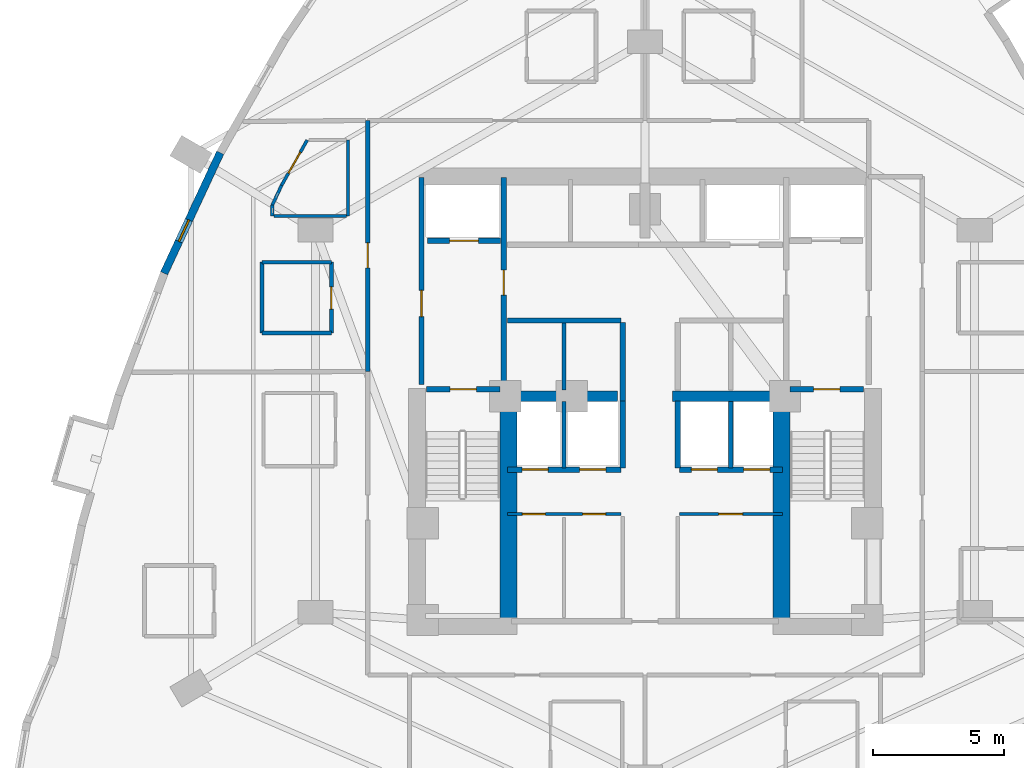
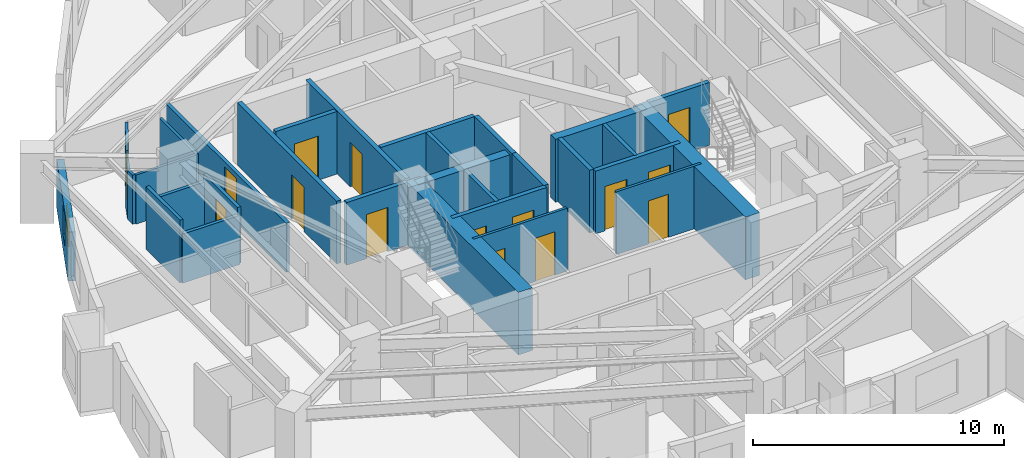
# One storey, part 8 of 13: 31 walls, 15 doors, 1 window, 16 openings.
"""IFC4 building model written with IfcOpenShell, lengths in metres."""

from ifc_helpers import new_model, si_unit, direction, frame, frame_2d, origin, place, context, subcontext, project, spatial, rectangle, extrude, material, layer, layer_set, type_object, element, fill, save


model = new_model("IFC4")

# Units and contexts
model_context = context("Model", 3, precision=1e-05, world=origin(), true_north=direction((0.0, 1.0)))
body_context = subcontext(model_context, "Body", "Model", "MODEL_VIEW")
ifc_project = project(units=[si_unit("LENGTHUNIT", "METRE"), si_unit("AREAUNIT", "SQUARE_METRE"), si_unit("VOLUMEUNIT", "CUBIC_METRE"), si_unit("PLANEANGLEUNIT", "RADIAN"), si_unit("MASSUNIT", "GRAM", prefix="KILO")], contexts=[model_context])

# Site, building, storey
site_placement = place(None, origin())
site = spatial("IfcSite", under=ifc_project, at=site_placement, CompositionType="ELEMENT")
building_placement = place(site_placement, origin())
building = spatial("IfcBuilding", under=site, at=building_placement, Name="Miruveldt Soraemaru", CompositionType="ELEMENT")
storey_placement = place(building_placement, frame((0.0, 0.0, 87.0)))
storey = spatial("IfcBuildingStorey", under=building, at=storey_placement, Name="L24", CompositionType="ELEMENT", Elevation=87.0)

# Walls
ifc_material_1 = material(Name="Concrete C70/85 (70 MPa)", Category="concrete")
ifc_layer_1 = layer(ifc_material_1, 0.5, Name="Concrete C70/85 (70 MPa)", Category="concrete")
ifc_layer_set_1 = layer_set([ifc_layer_1], Name="Concrete C70/85 (70 MPa)")
wall_type_1 = type_object("IfcWallType", Name="WALL-BW-500", PredefinedType="SHEAR", material=ifc_layer_set_1)
for number, where, z_axis, x_axis, name in (
    (1, (38.75, 44.050048828125, 0.0), (0.0, 0.0, 1.0), (1.0, 0.0, 0.0), "L24 Core Buttress Shear Wall BW"),
    (2, (45.050048828125, 44.050048828125, 0.0), (0.0, 0.0, 1.0), (1.0, 0.0, 0.0), "L24 Core Buttress Shear Wall BE"),
):
    element("IfcWall", number, at=place(storey_placement, frame(where, z_axis=z_axis, x_axis=x_axis)), inside=storey, type_object=wall_type_1, Name=name, PredefinedType="SHEAR", context=body_context, shape_type="SweptSolid", body=[
        extrude(rectangle(XDim=4.199951171875, YDim=0.39990234375, at=frame_2d((2.10009765625, 0.0))), origin(), (0.0, 0.0, 1.0), 3.050048828125),
    ])
ifc_material_2 = material(Name="Concrete C80/95 (80 MPa)", Category="concrete")
ifc_layer_2 = layer(ifc_material_2, 0.64990234375, Name="Concrete C80/95 (80 MPa)", Category="concrete")
ifc_layer_set_2 = layer_set([ifc_layer_2], Name="Concrete C80/95 (80 MPa)")
wall_type_2 = type_object("IfcWallType", Name="WALL-CW-650", PredefinedType="SHEAR", material=ifc_layer_set_2)
for number, where, z_axis, x_axis, name in (
    (3, (38.77490234375, 35.39990234375, 0.0), (0.0, 0.0, 1.0), (0.0, 1.0, 0.0), "L24 Central Core Shear Wall SW-INT"),
    (4, (49.22509765625, 35.39990234375, 0.0), (0.0, 0.0, 1.0), (0.0, 1.0, 0.0), "L24 Central Core Shear Wall SE-INT"),
):
    element("IfcWall", number, at=place(storey_placement, frame(where, z_axis=z_axis, x_axis=x_axis)), inside=storey, type_object=wall_type_2, Name=name, PredefinedType="SHEAR", context=body_context, shape_type="SweptSolid", body=[
        extrude(rectangle(XDim=8.9501953125, YDim=0.64990234375, at=frame_2d((4.47509765625, 0.0))), origin(), (0.0, 0.0, 1.0), 3.050048828125),
    ])

# Wall, opening, window
ifc_material_3 = material(Name="Precast concrete C45/55 (45 MPa)", Category="concrete")
ifc_layer_3 = layer(ifc_material_3, 0.300048828125, Name="Precast concrete C45/55 (45 MPa)", Category="concrete")
ifc_layer_set_3 = layer_set([ifc_layer_3], Name="Precast concrete C45/55 (45 MPa)")
wall_type_3 = type_object("IfcWallType", Name="WALL-EXT-PC300", PredefinedType="SOLIDWALL", material=ifc_layer_set_3)
wall_1_placement = place(storey_placement, frame((27.762451171875, 53.3671875, 0.0), z_axis=(0.0, 0.0, 1.0), x_axis=(-0.422304449799, -0.906454053816, 0.0)))
wall_1 = element("IfcWall", 5, at=wall_1_placement, inside=storey, type_object=wall_type_3, Name="L24 Precast Concrete Facade Wall 11", PredefinedType="SOLIDWALL", context=body_context, shape_type="SweptSolid", body=[
    extrude(rectangle(XDim=5.08447265625, YDim=0.300048828125, at=frame_2d((2.542236328125, 0.0))), origin(), (0.0, 0.0, 1.0), 2.387939453125),
])
opening_1_placement = place(wall_1_placement, frame((2.843017578125, 0.0, 0.72802734375)))
opening_1 = element("IfcOpeningElement", 6, at=opening_1_placement, cuts=wall_1, Name="Opening WN-7", PredefinedType="OPENING", context=body_context, shape_type="SweptSolid", body=[
    extrude(rectangle(XDim=0.89990234375, YDim=1.5, at=frame_2d((0.449951171875, 0.75))), frame((0.0, 0.16015625, 0.0), z_axis=(0.0, -1.0, 0.0), x_axis=(1.0, 0.0, 0.0)), (0.0, 0.0, 1.0), 0.320068359375),
])
ifc_material_4 = material(Name="Triple low-e insulated glazing", Category="glass")
window_type = type_object("IfcWindowType", Name="WIN-PUNCH-900x1500", PartitioningType="SINGLE_PANEL", PredefinedType="WINDOW", material=ifc_material_4)
window_placement = place(opening_1_placement, origin())
window = element("IfcWindow", 7, at=window_placement, inside=storey, type_object=window_type, Name="L24 Punched Triple-Glazed Window 11.1", OverallHeight=1.5, OverallWidth=0.89990234375, PartitioningType="SINGLE_PANEL", PredefinedType="WINDOW", context=body_context, shape_type="SweptSolid", body=[
    extrude(rectangle(XDim=0.89990234375, YDim=1.5, at=frame_2d((0.449951171875, 0.75))), frame((0.0, 0.030029296875, 0.0), z_axis=(0.0, -1.0, 0.0), x_axis=(1.0, 0.0, 0.0)), (0.0, 0.0, 1.0), 0.06005859375),
])
fill(opening_1, window)

# Wall, openings, doors
ifc_material_5 = material(Name="Gypsum plasterboard lining", Category="gypsum")
ifc_layer_4 = layer(ifc_material_5, 0.1201171875, Name="Gypsum plasterboard lining", Category="gypsum")
ifc_layer_set_4 = layer_set([ifc_layer_4], Name="Gypsum plasterboard lining")
wall_type_4 = type_object("IfcWallType", Name="WALL-INT-P120", PredefinedType="PARTITIONING", material=ifc_layer_set_4)
wall_2_placement = place(storey_placement, frame((38.75, 39.550048828125, 0.0), z_axis=(0.0, 0.0, 1.0), x_axis=(1.0, 0.0, 0.0)))
wall_2 = element("IfcWall", 8, at=wall_2_placement, inside=storey, type_object=wall_type_4, Name="L24 Core Compartment Wall CSW-N", PredefinedType="PARTITIONING", context=body_context, shape_type="SweptSolid", body=[
    extrude(rectangle(XDim=4.330078125, YDim=0.1201171875, at=frame_2d((2.1650390625, 0.0))), origin(), (0.0, 0.0, 1.0), 3.050048828125),
])
opening_2_placement = place(wall_2_placement, frame((0.56005859375, 0.0, 0.0)))
opening_2 = element("IfcOpeningElement", 9, at=opening_2_placement, cuts=wall_2, Name="Opening D4", PredefinedType="OPENING", context=body_context, shape_type="SweptSolid", body=[
    extrude(rectangle(XDim=0.8798828125, YDim=2.10009765625, at=frame_2d((0.43994140625, 1.050048828125))), frame((0.0, 0.070068359375, 0.0), z_axis=(0.0, -1.0, 0.0), x_axis=(1.0, 0.0, 0.0)), (0.0, 0.0, 1.0), 0.14013671875),
])
opening_3_placement = place(wall_2_placement, frame((2.860107421875, 0.0, 0.0)))
opening_3 = element("IfcOpeningElement", 10, at=opening_3_placement, cuts=wall_2, Name="Opening D4", PredefinedType="OPENING", context=body_context, shape_type="SweptSolid", body=[
    extrude(rectangle(XDim=0.8798828125, YDim=2.10009765625, at=frame_2d((0.43994140625, 1.050048828125))), frame((0.0, 0.070068359375, 0.0), z_axis=(0.0, -1.0, 0.0), x_axis=(1.0, 0.0, 0.0)), (0.0, 0.0, 1.0), 0.14013671875),
])
ifc_material_6 = material(Name="Anodised aluminium EN AW-6063 T6", Category="aluminium")
door_type_1 = type_object("IfcDoorType", Name="DOOR-INT-880", OperationType="NOTDEFINED", PredefinedType="DOOR", material=ifc_material_6)
door_1_placement = place(opening_2_placement, origin())
door_1 = element("IfcDoor", 11, at=door_1_placement, inside=storey, type_object=door_type_1, Name="L24 Fire Door", OperationType="SINGLE_SWING_LEFT", OverallHeight=2.10009765625, OverallWidth=0.8798828125, PredefinedType="DOOR", context=body_context, shape_type="SweptSolid", body=[
    extrude(rectangle(XDim=0.8798828125, YDim=2.10009765625, at=frame_2d((0.43994140625, 1.050048828125))), frame((0.0, 0.02490234375, 0.0), z_axis=(0.0, -1.0, 0.0), x_axis=(1.0, 0.0, 0.0)), (0.0, 0.0, 1.0), 0.050048828125),
])
fill(opening_2, door_1)
door_2_placement = place(opening_3_placement, origin())
door_2 = element("IfcDoor", 12, at=door_2_placement, inside=storey, type_object=door_type_1, Name="L24 Fire Door", OperationType="SINGLE_SWING_LEFT", OverallHeight=2.10009765625, OverallWidth=0.8798828125, PredefinedType="DOOR", context=body_context, shape_type="SweptSolid", body=[
    extrude(rectangle(XDim=0.8798828125, YDim=2.10009765625, at=frame_2d((0.43994140625, 1.050048828125))), frame((0.0, 0.02490234375, 0.0), z_axis=(0.0, -1.0, 0.0), x_axis=(1.0, 0.0, 0.0)), (0.0, 0.0, 1.0), 0.050048828125),
])
fill(opening_3, door_2)

# Wall, opening, door
wall_3_placement = place(storey_placement, frame((45.320068359375, 39.550048828125, 0.0), z_axis=(0.0, 0.0, 1.0), x_axis=(1.0, 0.0, 0.0)))
wall_3 = element("IfcWall", 13, at=wall_3_placement, inside=storey, type_object=wall_type_4, Name="L24 Core Compartment Wall CSE-N", PredefinedType="PARTITIONING", context=body_context, shape_type="SweptSolid", body=[
    extrude(rectangle(XDim=3.929931640625, YDim=0.1201171875, at=frame_2d((1.96484375, 0.0))), origin(), (0.0, 0.0, 1.0), 3.050048828125),
])
opening_4_placement = place(wall_3_placement, frame((1.489990234375, 0.0, 0.0)))
opening_4 = element("IfcOpeningElement", 14, at=opening_4_placement, cuts=wall_3, Name="Opening D3A", PredefinedType="OPENING", context=body_context, shape_type="SweptSolid", body=[
    extrude(rectangle(XDim=0.919921875, YDim=2.10009765625, at=frame_2d((0.4599609375, 1.050048828125))), frame((0.0, 0.070068359375, 0.0), z_axis=(0.0, -1.0, 0.0), x_axis=(1.0, 0.0, 0.0)), (0.0, 0.0, 1.0), 0.14013671875),
])
door_type_2 = type_object("IfcDoorType", Name="DOOR-INT-920", OperationType="NOTDEFINED", PredefinedType="DOOR", material=ifc_material_6)
door_3_placement = place(opening_4_placement, origin())
door_3 = element("IfcDoor", 15, at=door_3_placement, inside=storey, type_object=door_type_2, Name="L24 Fire Door", OperationType="SINGLE_SWING_LEFT", OverallHeight=2.10009765625, OverallWidth=0.919921875, PredefinedType="DOOR", context=body_context, shape_type="SweptSolid", body=[
    extrude(rectangle(XDim=0.919921875, YDim=2.10009765625, at=frame_2d((0.4599609375, 1.050048828125))), frame((0.0, 0.02490234375, 0.0), z_axis=(0.0, -1.0, 0.0), x_axis=(1.0, 0.0, 0.0)), (0.0, 0.0, 1.0), 0.050048828125),
])
fill(opening_4, door_3)

wall_4_placement = place(storey_placement, frame((30.10498046875, 52.1201171875, 0.0), z_axis=(0.0, 0.0, 1.0), x_axis=(0.493254151798, 0.869885246302, 0.0)))
wall_4 = element("IfcWall", 16, at=wall_4_placement, inside=storey, type_object=wall_type_4, Name="L24 Partition Wall 46", PredefinedType="PARTITIONING", context=body_context, shape_type="SweptSolid", body=[
    extrude(rectangle(XDim=1.98876953125, YDim=0.1201171875, at=frame_2d((0.994384765625, 0.0))), origin(), (0.0, 0.0, 1.0), 2.738037109375),
])
opening_5_placement = place(wall_4_placement, frame((0.533935546875, 0.0, 0.0)))
opening_5 = element("IfcOpeningElement", 17, at=opening_5_placement, cuts=wall_4, Name="Opening D3A", PredefinedType="OPENING", context=body_context, shape_type="SweptSolid", body=[
    extrude(rectangle(XDim=0.919921875, YDim=2.10009765625, at=frame_2d((0.4599609375, 1.050048828125))), frame((0.0, 0.070068359375, 0.0), z_axis=(0.0, -1.0, 0.0), x_axis=(1.0, 0.0, 0.0)), (0.0, 0.0, 1.0), 0.14013671875),
])
door_4_placement = place(opening_5_placement, origin())
door_4 = element("IfcDoor", 18, at=door_4_placement, inside=storey, type_object=door_type_2, Name="L24 Unit 2405 KIT Door", OperationType="SINGLE_SWING_RIGHT", OverallHeight=2.10009765625, OverallWidth=0.919921875, PredefinedType="DOOR", context=body_context, shape_type="SweptSolid", body=[
    extrude(rectangle(XDim=0.919921875, YDim=2.10009765625, at=frame_2d((0.4599609375, 1.050048828125))), frame((0.0, 0.02490234375, 0.0), z_axis=(0.0, -1.0, 0.0), x_axis=(1.0, 0.0, 0.0)), (0.0, 0.0, 1.0), 0.050048828125),
])
fill(opening_5, door_4)

# Walls
wall_5_placement = place(storey_placement, frame((32.64990234375, 53.85009765625, 0.0), z_axis=(0.0, 0.0, 1.0), x_axis=(0.0, -1.0, 0.0)))
element("IfcWall", 19, at=wall_5_placement, inside=storey, type_object=wall_type_4, Name="L24 Partition Wall 48", PredefinedType="PARTITIONING", context=body_context, shape_type="SweptSolid", body=[
    extrude(rectangle(XDim=2.900146484375, YDim=0.1201171875, at=frame_2d((1.4501953125, 0.0))), origin(), (0.0, 0.0, 1.0), 2.387939453125),
])
wall_6_placement = place(storey_placement, frame((32.590087890625, 50.949951171875, 0.0), z_axis=(0.0, 0.0, 1.0), x_axis=(-1.0, 0.0, 0.0)))
element("IfcWall", 20, at=wall_6_placement, inside=storey, type_object=wall_type_4, Name="L24 Partition Wall 44", PredefinedType="PARTITIONING", context=body_context, shape_type="SweptSolid", body=[
    extrude(rectangle(XDim=2.780029296875, YDim=0.1201171875, at=frame_2d((1.39013671875, 0.0))), origin(), (0.0, 0.0, 1.0), 2.387939453125),
])
wall_7_placement = place(storey_placement, frame((29.75, 51.35791015625, 0.0), z_axis=(0.0, 0.0, 1.0), x_axis=(0.422185927952, 0.906509262081, 0.0)))
element("IfcWall", 21, at=wall_7_placement, inside=storey, type_object=wall_type_4, Name="L24 Partition Wall 45", PredefinedType="PARTITIONING", context=body_context, shape_type="SweptSolid", body=[
    extrude(rectangle(XDim=0.8408203125, YDim=0.1201171875, at=frame_2d((0.42041015625, 0.0))), origin(), (0.0, 0.0, 1.0), 2.387939453125),
])
wall_8_placement = place(storey_placement, frame((29.75, 50.949951171875, 0.0), z_axis=(0.0, 0.0, 1.0), x_axis=(0.0, 1.0, 0.0)))
element("IfcWall", 22, at=wall_8_placement, inside=storey, type_object=wall_type_4, Name="L24 Partition Wall 96", PredefinedType="PARTITIONING", context=body_context, shape_type="SweptSolid", body=[
    extrude(rectangle(XDim=0.407958984375, YDim=0.1201171875, at=frame_2d((0.2041015625, 0.0))), origin(), (0.0, 0.0, 1.0), 2.387939453125),
])

# Wall, opening, door
ifc_layer_5 = layer(ifc_material_5, 0.14990234375, Name="Gypsum plasterboard lining", Category="gypsum")
ifc_layer_set_5 = layer_set([ifc_layer_5], Name="Gypsum plasterboard lining")
wall_type_5 = type_object("IfcWallType", Name="WALL-INT-PLUMB", PredefinedType="PLUMBINGWALL", material=ifc_layer_set_5)
wall_9_placement = place(storey_placement, frame((32.006103515625, 46.47998046875, 0.0), z_axis=(0.0, 0.0, 1.0), x_axis=(0.0, 1.0, 0.0)))
wall_9 = element("IfcWall", 23, at=wall_9_placement, inside=storey, type_object=wall_type_5, Name="L24 Partition Wall 40", PredefinedType="PLUMBINGWALL", context=body_context, shape_type="SweptSolid", body=[
    extrude(rectangle(XDim=2.699951171875, YDim=0.14990234375, at=frame_2d((1.35009765625, 0.0))), origin(), (0.0, 0.0, 1.0), 2.738037109375),
])
opening_6_placement = place(wall_9_placement, frame((0.909912109375, 0.0, 0.0)))
opening_6 = element("IfcOpeningElement", 24, at=opening_6_placement, cuts=wall_9, Name="Opening FD3", PredefinedType="OPENING", context=body_context, shape_type="SweptSolid", body=[
    extrude(rectangle(XDim=0.85009765625, YDim=2.10009765625, at=frame_2d((0.425048828125, 1.050048828125))), frame((0.0, 0.0849609375, 0.0), z_axis=(0.0, -1.0, 0.0), x_axis=(1.0, 0.0, 0.0)), (0.0, 0.0, 1.0), 0.169921875),
])
door_type_3 = type_object("IfcDoorType", Name="DOOR-FD3-850", OperationType="NOTDEFINED", PredefinedType="DOOR", material=ifc_material_6)
door_5_placement = place(opening_6_placement, origin())
door_5 = element("IfcDoor", 25, at=door_5_placement, inside=storey, type_object=door_type_3, Name="L24 Unit 2405 BTH Door", OperationType="SINGLE_SWING_LEFT", OverallHeight=2.10009765625, OverallWidth=0.85009765625, PredefinedType="DOOR", context=body_context, shape_type="SweptSolid", body=[
    extrude(rectangle(XDim=0.85009765625, YDim=2.10009765625, at=frame_2d((0.425048828125, 1.050048828125))), frame((0.0, 0.02490234375, 0.0), z_axis=(0.0, -1.0, 0.0), x_axis=(1.0, 0.0, 0.0)), (0.0, 0.0, 1.0), 0.050048828125),
])
fill(opening_6, door_5)

# Walls
wall_10_placement = place(storey_placement, frame((29.35595703125, 49.179931640625, 0.0), z_axis=(0.0, 0.0, 1.0), x_axis=(0.0, -1.0, 0.0)))
element("IfcWall", 26, at=wall_10_placement, inside=storey, type_object=wall_type_5, Name="L24 Partition Wall 42", PredefinedType="PLUMBINGWALL", context=body_context, shape_type="SweptSolid", body=[
    extrude(rectangle(XDim=2.699951171875, YDim=0.14990234375, at=frame_2d((1.35009765625, 0.0))), origin(), (0.0, 0.0, 1.0), 3.050048828125),
])
for number, where, z_axis, x_axis, name in (
    (27, (32.006103515625, 49.179931640625, 0.0), (0.0, 0.0, 1.0), (-1.0, 0.0, 0.0), "L24 Partition Wall 41"),
    (28, (29.35595703125, 46.47998046875, 0.0), (0.0, 0.0, 1.0), (1.0, 0.0, 0.0), "L24 Partition Wall 43"),
):
    element("IfcWall", number, at=place(storey_placement, frame(where, z_axis=z_axis, x_axis=x_axis)), inside=storey, type_object=wall_type_5, Name=name, PredefinedType="PLUMBINGWALL", context=body_context, shape_type="SweptSolid", body=[
        extrude(rectangle(XDim=2.650146484375, YDim=0.14990234375, at=frame_2d((1.3251953125, 0.0))), origin(), (0.0, 0.0, 1.0), 2.387939453125),
    ])

# Wall, opening, door
ifc_material_7 = material(Name="Concrete C40/50 (40 MPa)", Category="concrete")
ifc_layer_6 = layer(ifc_material_7, 0.159912109375, Name="Concrete C40/50 (40 MPa)", Category="concrete")
ifc_layer_set_6 = layer_set([ifc_layer_6], Name="Concrete C40/50 (40 MPa)")
wall_type_6 = type_object("IfcWallType", Name="WALL-INT-RC160", PredefinedType="SOLIDWALL", material=ifc_layer_set_6)
wall_11_placement = place(storey_placement, frame((33.39990234375, 54.60009765625, 0.0), z_axis=(0.0, 0.0, 1.0), x_axis=(0.0, -1.0, 0.0)))
wall_11 = element("IfcWall", 29, at=wall_11_placement, inside=storey, type_object=wall_type_6, Name="L24 Partition Wall 3", PredefinedType="SOLIDWALL", context=body_context, shape_type="SweptSolid", body=[
    extrude(rectangle(XDim=9.60009765625, YDim=0.159912109375, at=frame_2d((4.800048828125, 0.0))), origin(), (0.0, 0.0, 1.0), 2.387939453125),
])
opening_7_placement = place(wall_11_placement, frame((4.68505859375, 0.0, 0.0)))
opening_7 = element("IfcOpeningElement", 30, at=opening_7_placement, cuts=wall_11, Name="Opening FD2", PredefinedType="OPENING", context=body_context, shape_type="SweptSolid", body=[
    extrude(rectangle(XDim=0.949951171875, YDim=2.14990234375, at=frame_2d((0.47509765625, 1.074951171875))), frame((0.0, 0.08984375, 0.0), z_axis=(0.0, -1.0, 0.0), x_axis=(1.0, 0.0, 0.0)), (0.0, 0.0, 1.0), 0.179931640625),
])
door_type_4 = type_object("IfcDoorType", Name="DOOR-FD2-950", OperationType="NOTDEFINED", PredefinedType="DOOR", material=ifc_material_6)
door_6_placement = place(opening_7_placement, origin())
door_6 = element("IfcDoor", 31, at=door_6_placement, inside=storey, type_object=door_type_4, Name="L24 Unit 2405 Entrance Fire Door", OperationType="SINGLE_SWING_RIGHT", OverallHeight=2.14990234375, OverallWidth=0.949951171875, PredefinedType="DOOR", context=body_context, shape_type="SweptSolid", body=[
    extrude(rectangle(XDim=0.949951171875, YDim=2.14990234375, at=frame_2d((0.47509765625, 1.074951171875))), frame((0.0, 0.02490234375, 0.0), z_axis=(0.0, -1.0, 0.0), x_axis=(1.0, 0.0, 0.0)), (0.0, 0.0, 1.0), 0.050048828125),
])
fill(opening_7, door_6)

# Walls
wall_12_placement = place(storey_placement, frame((40.89990234375, 44.300048828125, 0.0), z_axis=(0.0, 0.0, 1.0), x_axis=(0.0, 1.0, 0.0)))
element("IfcWall", 32, at=wall_12_placement, inside=storey, type_object=wall_type_6, Name="L24 Core Compartment Wall PLM-DW", PredefinedType="SOLIDWALL", context=body_context, shape_type="SweptSolid", body=[
    extrude(rectangle(XDim=2.550048828125, YDim=0.159912109375, at=frame_2d((1.27490234375, 0.0))), origin(), (0.0, 0.0, 1.0), 3.050048828125),
])
for number, where, z_axis, x_axis, name in (
    (33, (40.89990234375, 41.320068359375, 0.0), (0.0, 0.0, 1.0), (0.0, 1.0, 0.0), "L24 Core Compartment Wall PLL-DW"),
    (34, (47.280029296875, 41.320068359375, 0.0), (0.0, 0.0, 1.0), (0.0, 1.0, 0.0), "L24 Core Compartment Wall PLL-DE"),
):
    element("IfcWall", number, at=place(storey_placement, frame(where, z_axis=z_axis, x_axis=x_axis)), inside=storey, type_object=wall_type_6, Name=name, PredefinedType="SOLIDWALL", context=body_context, shape_type="SweptSolid", body=[
        extrude(rectangle(XDim=2.530029296875, YDim=0.159912109375, at=frame_2d((1.26513671875, 0.0))), origin(), (0.0, 0.0, 1.0), 3.050048828125),
    ])

# Wall, opening, door
ifc_layer_7 = layer(ifc_material_7, 0.199951171875, Name="Concrete C40/50 (40 MPa)", Category="concrete")
ifc_layer_set_7 = layer_set([ifc_layer_7], Name="Concrete C40/50 (40 MPa)")
wall_type_7 = type_object("IfcWallType", Name="WALL-INT-RC200", PredefinedType="SOLIDWALL", material=ifc_layer_set_7)
wall_13_placement = place(storey_placement, frame((35.449951171875, 44.5, 0.0), z_axis=(0.0, 0.0, 1.0), x_axis=(0.0, 1.0, 0.0)))
wall_13 = element("IfcWall", 35, at=wall_13_placement, inside=storey, type_object=wall_type_7, Name="L24 Core Compartment Wall FFW-OUT", PredefinedType="SOLIDWALL", context=body_context, shape_type="SweptSolid", body=[
    extrude(rectangle(XDim=7.919921875, YDim=0.199951171875, at=frame_2d((3.9599609375, 0.0))), origin(), (0.0, 0.0, 1.0), 3.050048828125),
])
opening_8_placement = place(wall_13_placement, frame((2.60009765625, 0.0, 0.0)))
opening_8 = element("IfcOpeningElement", 36, at=opening_8_placement, cuts=wall_13, Name="Opening FD1", PredefinedType="OPENING", context=body_context, shape_type="SweptSolid", body=[
    extrude(rectangle(XDim=1.0, YDim=2.14990234375, at=frame_2d((0.5, 1.074951171875))), frame((0.0, 0.10986328125, 0.0), z_axis=(0.0, -1.0, 0.0), x_axis=(1.0, 0.0, 0.0)), (0.0, 0.0, 1.0), 0.219970703125),
])
door_type_5 = type_object("IfcDoorType", Name="DOOR-FD1-1000", OperationType="NOTDEFINED", PredefinedType="DOOR", material=ifc_material_6)
door_7_placement = place(opening_8_placement, origin())
door_7 = element("IfcDoor", 37, at=door_7_placement, inside=storey, type_object=door_type_5, Name="L24 West Firefighting Lobby Exit Door", OperationType="SINGLE_SWING_LEFT", OverallHeight=2.14990234375, OverallWidth=1.0, PredefinedType="DOOR", context=body_context, shape_type="SweptSolid", body=[
    extrude(rectangle(XDim=1.0, YDim=2.14990234375, at=frame_2d((0.5, 1.074951171875))), frame((0.0, 0.02490234375, 0.0), z_axis=(0.0, -1.0, 0.0), x_axis=(1.0, 0.0, 0.0)), (0.0, 0.0, 1.0), 0.050048828125),
])
fill(opening_8, door_7)

wall_14_placement = place(storey_placement, frame((38.60009765625, 44.5, 0.0), z_axis=(0.0, 0.0, 1.0), x_axis=(0.0, 1.0, 0.0)))
wall_14 = element("IfcWall", 38, at=wall_14_placement, inside=storey, type_object=wall_type_7, Name="L24 Core Compartment Wall FFW-IN", PredefinedType="SOLIDWALL", context=body_context, shape_type="SweptSolid", body=[
    extrude(rectangle(XDim=7.919921875, YDim=0.199951171875, at=frame_2d((3.9599609375, 0.0))), origin(), (0.0, 0.0, 1.0), 3.050048828125),
])
opening_9_placement = place(wall_14_placement, frame((3.425048828125, 0.0, 0.0)))
opening_9 = element("IfcOpeningElement", 39, at=opening_9_placement, cuts=wall_14, Name="Opening FD2", PredefinedType="OPENING", context=body_context, shape_type="SweptSolid", body=[
    extrude(rectangle(XDim=0.949951171875, YDim=2.14990234375, at=frame_2d((0.47509765625, 1.074951171875))), frame((0.0, 0.10986328125, 0.0), z_axis=(0.0, -1.0, 0.0), x_axis=(1.0, 0.0, 0.0)), (0.0, 0.0, 1.0), 0.219970703125),
])
door_8_placement = place(opening_9_placement, frame((0.949951171875, 0.0, 0.0), z_axis=(0.0, 0.0, 1.0), x_axis=(-1.0, 0.0, 0.0)))
door_8 = element("IfcDoor", 40, at=door_8_placement, inside=storey, type_object=door_type_4, Name="L24 Lift Lobby to West Fire Lobby Door", OperationType="SINGLE_SWING_RIGHT", OverallHeight=2.14990234375, OverallWidth=0.949951171875, PredefinedType="DOOR", context=body_context, shape_type="SweptSolid", body=[
    extrude(rectangle(XDim=0.949951171875, YDim=2.14990234375, at=frame_2d((0.47509765625, 1.074951171875))), frame((0.0, 0.02490234375, 0.0), z_axis=(0.0, -1.0, 0.0), x_axis=(1.0, 0.0, 0.0)), (0.0, 0.0, 1.0), 0.050048828125),
])
fill(opening_9, door_8)

# Wall, openings, doors
wall_15_placement = place(storey_placement, frame((38.75, 41.25, 0.0), z_axis=(0.0, 0.0, 1.0), x_axis=(1.0, 0.0, 0.0)))
wall_15 = element("IfcWall", 41, at=wall_15_placement, inside=storey, type_object=wall_type_7, Name="L24 Core Compartment Wall LBW-S", PredefinedType="SOLIDWALL", context=body_context, shape_type="SweptSolid", body=[
    extrude(rectangle(XDim=4.330078125, YDim=0.199951171875, at=frame_2d((2.1650390625, 0.0))), origin(), (0.0, 0.0, 1.0), 3.050048828125),
])
opening_10_placement = place(wall_15_placement, frame((0.550048828125, 0.0, 0.0)))
opening_10 = element("IfcOpeningElement", 42, at=opening_10_placement, cuts=wall_15, Name="Opening LD1B", PredefinedType="OPENING", context=body_context, shape_type="SweptSolid", body=[
    extrude(rectangle(XDim=1.0, YDim=2.14990234375, at=frame_2d((0.5, 1.074951171875))), frame((0.0, 0.10986328125, 0.0), z_axis=(0.0, -1.0, 0.0), x_axis=(1.0, 0.0, 0.0)), (0.0, 0.0, 1.0), 0.219970703125),
])
opening_11_placement = place(wall_15_placement, frame((2.75, 0.0, 0.0)))
opening_11 = element("IfcOpeningElement", 43, at=opening_11_placement, cuts=wall_15, Name="Opening LD1B", PredefinedType="OPENING", context=body_context, shape_type="SweptSolid", body=[
    extrude(rectangle(XDim=1.0, YDim=2.14990234375, at=frame_2d((0.5, 1.074951171875))), frame((0.0, 0.10986328125, 0.0), z_axis=(0.0, -1.0, 0.0), x_axis=(1.0, 0.0, 0.0)), (0.0, 0.0, 1.0), 0.219970703125),
])
door_type_6 = type_object("IfcDoorType", Name="DOOR-LD1-1000", OperationType="SLIDING_TO_LEFT", PredefinedType="DOOR", material=ifc_material_6)
door_9_placement = place(opening_10_placement, frame((1.0, 0.0, 0.0), z_axis=(0.0, 0.0, 1.0), x_axis=(-1.0, 0.0, 0.0)))
door_9 = element("IfcDoor", 44, at=door_9_placement, inside=storey, type_object=door_type_6, Name="L24 PL-L1 Landing Door", OperationType="SLIDING_TO_LEFT", OverallHeight=2.14990234375, OverallWidth=1.0, PredefinedType="DOOR", context=body_context, shape_type="SweptSolid", body=[
    extrude(rectangle(XDim=1.0, YDim=2.14990234375, at=frame_2d((0.5, 1.074951171875))), frame((0.0, 0.02490234375, 0.0), z_axis=(0.0, -1.0, 0.0), x_axis=(1.0, 0.0, 0.0)), (0.0, 0.0, 1.0), 0.050048828125),
])
fill(opening_10, door_9)
door_10_placement = place(opening_11_placement, frame((1.0, 0.0, 0.0), z_axis=(0.0, 0.0, 1.0), x_axis=(-1.0, 0.0, 0.0)))
door_10 = element("IfcDoor", 45, at=door_10_placement, inside=storey, type_object=door_type_6, Name="L24 PL-L2 Landing Door", OperationType="SLIDING_TO_LEFT", OverallHeight=2.14990234375, OverallWidth=1.0, PredefinedType="DOOR", context=body_context, shape_type="SweptSolid", body=[
    extrude(rectangle(XDim=1.0, YDim=2.14990234375, at=frame_2d((0.5, 1.074951171875))), frame((0.0, 0.02490234375, 0.0), z_axis=(0.0, -1.0, 0.0), x_axis=(1.0, 0.0, 0.0)), (0.0, 0.0, 1.0), 0.050048828125),
])
fill(opening_11, door_10)

wall_16_placement = place(storey_placement, frame((45.320068359375, 41.25, 0.0), z_axis=(0.0, 0.0, 1.0), x_axis=(1.0, 0.0, 0.0)))
wall_16 = element("IfcWall", 46, at=wall_16_placement, inside=storey, type_object=wall_type_7, Name="L24 Core Compartment Wall LBE-S", PredefinedType="SOLIDWALL", context=body_context, shape_type="SweptSolid", body=[
    extrude(rectangle(XDim=3.929931640625, YDim=0.199951171875, at=frame_2d((1.96484375, 0.0))), origin(), (0.0, 0.0, 1.0), 3.050048828125),
])
opening_12_placement = place(wall_16_placement, frame((0.449951171875, 0.0, 0.0)))
opening_12 = element("IfcOpeningElement", 47, at=opening_12_placement, cuts=wall_16, Name="Opening LD1B", PredefinedType="OPENING", context=body_context, shape_type="SweptSolid", body=[
    extrude(rectangle(XDim=1.0, YDim=2.14990234375, at=frame_2d((0.5, 1.074951171875))), frame((0.0, 0.10986328125, 0.0), z_axis=(0.0, -1.0, 0.0), x_axis=(1.0, 0.0, 0.0)), (0.0, 0.0, 1.0), 0.219970703125),
])
opening_13_placement = place(wall_16_placement, frame((2.449951171875, 0.0, 0.0)))
opening_13 = element("IfcOpeningElement", 48, at=opening_13_placement, cuts=wall_16, Name="Opening LD1B", PredefinedType="OPENING", context=body_context, shape_type="SweptSolid", body=[
    extrude(rectangle(XDim=1.0, YDim=2.14990234375, at=frame_2d((0.5, 1.074951171875))), frame((0.0, 0.10986328125, 0.0), z_axis=(0.0, -1.0, 0.0), x_axis=(1.0, 0.0, 0.0)), (0.0, 0.0, 1.0), 0.219970703125),
])
door_11_placement = place(opening_12_placement, frame((1.0, 0.0, 0.0), z_axis=(0.0, 0.0, 1.0), x_axis=(-1.0, 0.0, 0.0)))
door_11 = element("IfcDoor", 49, at=door_11_placement, inside=storey, type_object=door_type_6, Name="L24 PL-L3 Landing Door", OperationType="SLIDING_TO_LEFT", OverallHeight=2.14990234375, OverallWidth=1.0, PredefinedType="DOOR", context=body_context, shape_type="SweptSolid", body=[
    extrude(rectangle(XDim=1.0, YDim=2.14990234375, at=frame_2d((0.5, 1.074951171875))), frame((0.0, 0.02490234375, 0.0), z_axis=(0.0, -1.0, 0.0), x_axis=(1.0, 0.0, 0.0)), (0.0, 0.0, 1.0), 0.050048828125),
])
fill(opening_12, door_11)
door_12_placement = place(opening_13_placement, frame((1.0, 0.0, 0.0), z_axis=(0.0, 0.0, 1.0), x_axis=(-1.0, 0.0, 0.0)))
door_12 = element("IfcDoor", 50, at=door_12_placement, inside=storey, type_object=door_type_6, Name="L24 PL-L4 Landing Door", OperationType="SLIDING_TO_LEFT", OverallHeight=2.14990234375, OverallWidth=1.0, PredefinedType="DOOR", context=body_context, shape_type="SweptSolid", body=[
    extrude(rectangle(XDim=1.0, YDim=2.14990234375, at=frame_2d((0.5, 1.074951171875))), frame((0.0, 0.02490234375, 0.0), z_axis=(0.0, -1.0, 0.0), x_axis=(1.0, 0.0, 0.0)), (0.0, 0.0, 1.0), 0.050048828125),
])
fill(opening_13, door_12)

# Wall, opening, door
wall_17_placement = place(storey_placement, frame((35.64990234375, 44.320068359375, 0.0), z_axis=(0.0, 0.0, 1.0), x_axis=(1.0, 0.0, 0.0)))
wall_17 = element("IfcWall", 51, at=wall_17_placement, inside=storey, type_object=wall_type_7, Name="L24 Core Compartment Wall ST1-N", PredefinedType="SOLIDWALL", context=body_context, shape_type="SweptSolid", body=[
    extrude(rectangle(XDim=2.800048828125, YDim=0.199951171875, at=frame_2d((1.39990234375, 0.0))), origin(), (0.0, 0.0, 1.0), 3.050048828125),
])
opening_14_placement = place(wall_17_placement, frame((0.89990234375, 0.0, 0.0)))
opening_14 = element("IfcOpeningElement", 52, at=opening_14_placement, cuts=wall_17, Name="Opening FD1", PredefinedType="OPENING", context=body_context, shape_type="SweptSolid", body=[
    extrude(rectangle(XDim=1.0, YDim=2.14990234375, at=frame_2d((0.5, 1.074951171875))), frame((0.0, 0.10986328125, 0.0), z_axis=(0.0, -1.0, 0.0), x_axis=(1.0, 0.0, 0.0)), (0.0, 0.0, 1.0), 0.219970703125),
])
door_13_placement = place(opening_14_placement, frame((1.0, 0.0, 0.0), z_axis=(0.0, 0.0, 1.0), x_axis=(-1.0, 0.0, 0.0)))
door_13 = element("IfcDoor", 53, at=door_13_placement, inside=storey, type_object=door_type_5, Name="L24 Stair ST-1 Fire Door", OperationType="SINGLE_SWING_LEFT", OverallHeight=2.14990234375, OverallWidth=1.0, PredefinedType="DOOR", context=body_context, shape_type="SweptSolid", body=[
    extrude(rectangle(XDim=1.0, YDim=2.14990234375, at=frame_2d((0.5, 1.074951171875))), frame((0.0, 0.02490234375, 0.0), z_axis=(0.0, -1.0, 0.0), x_axis=(1.0, 0.0, 0.0)), (0.0, 0.0, 1.0), 0.050048828125),
])
fill(opening_14, door_13)

wall_18_placement = place(storey_placement, frame((49.550048828125, 44.320068359375, 0.0), z_axis=(0.0, 0.0, 1.0), x_axis=(1.0, 0.0, 0.0)))
wall_18 = element("IfcWall", 54, at=wall_18_placement, inside=storey, type_object=wall_type_7, Name="L24 Core Compartment Wall ST2-N", PredefinedType="SOLIDWALL", context=body_context, shape_type="SweptSolid", body=[
    extrude(rectangle(XDim=2.800048828125, YDim=0.199951171875, at=frame_2d((1.39990234375, 0.0))), origin(), (0.0, 0.0, 1.0), 3.050048828125),
])
opening_15_placement = place(wall_18_placement, frame((0.89990234375, 0.0, 0.0)))
opening_15 = element("IfcOpeningElement", 55, at=opening_15_placement, cuts=wall_18, Name="Opening FD1", PredefinedType="OPENING", context=body_context, shape_type="SweptSolid", body=[
    extrude(rectangle(XDim=1.0, YDim=2.14990234375, at=frame_2d((0.5, 1.074951171875))), frame((0.0, 0.10986328125, 0.0), z_axis=(0.0, -1.0, 0.0), x_axis=(1.0, 0.0, 0.0)), (0.0, 0.0, 1.0), 0.219970703125),
])
door_14_placement = place(opening_15_placement, frame((1.0, 0.0, 0.0), z_axis=(0.0, 0.0, 1.0), x_axis=(-1.0, 0.0, 0.0)))
door_14 = element("IfcDoor", 56, at=door_14_placement, inside=storey, type_object=door_type_5, Name="L24 Stair ST-2 Fire Door", OperationType="SINGLE_SWING_RIGHT", OverallHeight=2.14990234375, OverallWidth=1.0, PredefinedType="DOOR", context=body_context, shape_type="SweptSolid", body=[
    extrude(rectangle(XDim=1.0, YDim=2.14990234375, at=frame_2d((0.5, 1.074951171875))), frame((0.0, 0.02490234375, 0.0), z_axis=(0.0, -1.0, 0.0), x_axis=(1.0, 0.0, 0.0)), (0.0, 0.0, 1.0), 0.050048828125),
])
fill(opening_15, door_14)

wall_19_placement = place(storey_placement, frame((35.679931640625, 50.0, 0.0), z_axis=(0.0, 0.0, 1.0), x_axis=(1.0, 0.0, 0.0)))
wall_19 = element("IfcWall", 57, at=wall_19_placement, inside=storey, type_object=wall_type_7, Name="L24 Core Compartment Wall FFL1-S", PredefinedType="SOLIDWALL", context=body_context, shape_type="SweptSolid", body=[
    extrude(rectangle(XDim=2.800048828125, YDim=0.199951171875, at=frame_2d((1.39990234375, 0.0))), origin(), (0.0, 0.0, 1.0), 3.050048828125),
])
opening_16_placement = place(wall_19_placement, frame((0.85009765625, 0.0, 0.0)))
opening_16 = element("IfcOpeningElement", 58, at=opening_16_placement, cuts=wall_19, Name="Opening LD2", PredefinedType="OPENING", context=body_context, shape_type="SweptSolid", body=[
    extrude(rectangle(XDim=1.10009765625, YDim=2.14990234375, at=frame_2d((0.550048828125, 1.074951171875))), frame((0.0, 0.10986328125, 0.0), z_axis=(0.0, -1.0, 0.0), x_axis=(1.0, 0.0, 0.0)), (0.0, 0.0, 1.0), 0.219970703125),
])
door_type_7 = type_object("IfcDoorType", Name="DOOR-LD2-1100", OperationType="SLIDING_TO_LEFT", PredefinedType="DOOR", material=ifc_material_6)
door_15_placement = place(opening_16_placement, origin())
door_15 = element("IfcDoor", 59, at=door_15_placement, inside=storey, type_object=door_type_7, Name="L24 FFL-1 Landing Door", OperationType="SLIDING_TO_LEFT", OverallHeight=2.14990234375, OverallWidth=1.10009765625, PredefinedType="DOOR", context=body_context, shape_type="SweptSolid", body=[
    extrude(rectangle(XDim=1.10009765625, YDim=2.14990234375, at=frame_2d((0.550048828125, 1.074951171875))), frame((0.0, 0.02490234375, 0.0), z_axis=(0.0, -1.0, 0.0), x_axis=(1.0, 0.0, 0.0)), (0.0, 0.0, 1.0), 0.050048828125),
])
fill(opening_16, door_15)

# Walls
wall_20_placement = place(storey_placement, frame((38.75, 46.949951171875, 0.0), z_axis=(0.0, 0.0, 1.0), x_axis=(1.0, 0.0, 0.0)))
element("IfcWall", 60, at=wall_20_placement, inside=storey, type_object=wall_type_7, Name="L24 Core Compartment Wall MBW-N", PredefinedType="SOLIDWALL", context=body_context, shape_type="SweptSolid", body=[
    extrude(rectangle(XDim=4.330078125, YDim=0.199951171875, at=frame_2d((2.1650390625, 0.0))), origin(), (0.0, 0.0, 1.0), 3.050048828125),
])
wall_21_placement = place(storey_placement, frame((43.14990234375, 43.8798828125, 0.0), z_axis=(0.0, 0.0, 1.0), x_axis=(0.0, 1.0, 0.0)))
element("IfcWall", 61, at=wall_21_placement, inside=storey, type_object=wall_type_7, Name="L24 Core Compartment Wall SP-WB", PredefinedType="SOLIDWALL", context=body_context, shape_type="SweptSolid", body=[
    extrude(rectangle(XDim=3.0, YDim=0.199951171875, at=frame_2d((1.5, 0.0))), origin(), (0.0, 0.0, 1.0), 3.050048828125),
])
for number, where, z_axis, x_axis, name in (
    (62, (43.14990234375, 41.320068359375, 0.0), (0.0, 0.0, 1.0), (0.0, 1.0, 0.0), "L24 Core Compartment Wall SP-WC"),
    (63, (45.25, 41.320068359375, 0.0), (0.0, 0.0, 1.0), (0.0, 1.0, 0.0), "L24 Core Compartment Wall SP-EC"),
):
    element("IfcWall", number, at=place(storey_placement, frame(where, z_axis=z_axis, x_axis=x_axis)), inside=storey, type_object=wall_type_7, Name=name, PredefinedType="SOLIDWALL", context=body_context, shape_type="SweptSolid", body=[
        extrude(rectangle(XDim=2.559814453125, YDim=0.199951171875, at=frame_2d((1.27978515625, 0.0))), origin(), (0.0, 0.0, 1.0), 3.050048828125),
    ])

save(model, "model.ifc")
